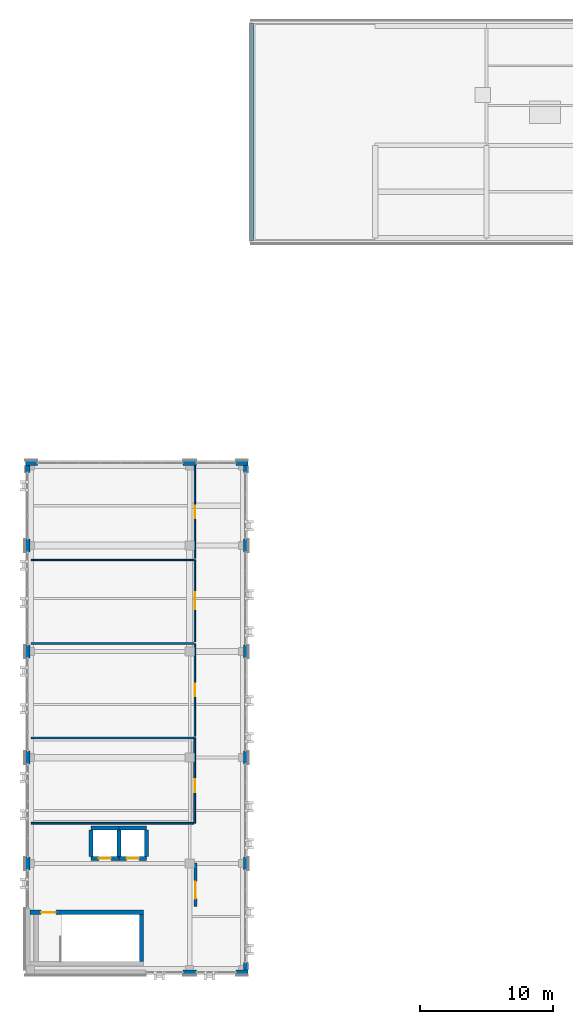
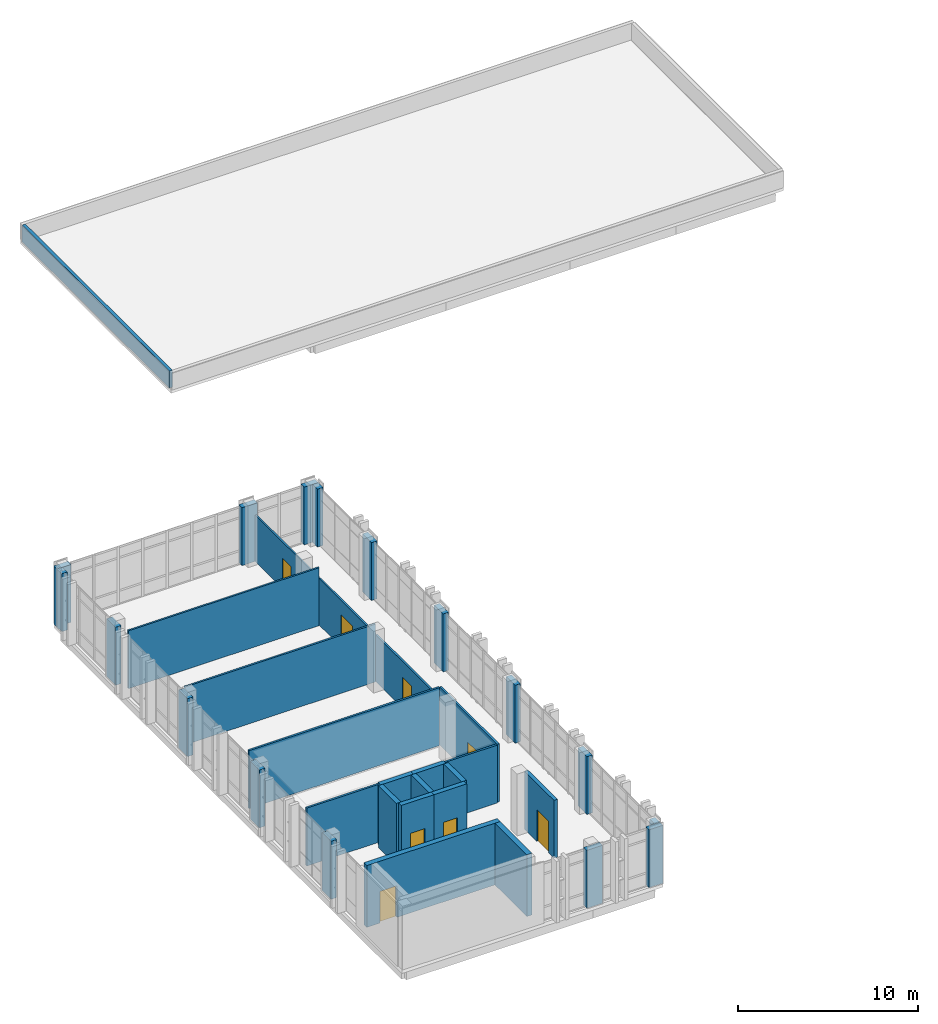
# One storey, part 36 of 48: 35 walls, 8 doors, 8 openings.
"""IFC4 building model written with IfcOpenShell, lengths in metres."""

from ifc_helpers import new_model, si_unit, direction, frame, frame_2d, origin, place, context, subcontext, project, spatial, rectangle, extrude, material, layer, layer_set, type_object, element, fill, save


model = new_model("IFC4")

# Units and contexts
model_context = context("Model", 3, precision=1e-05, world=origin(), true_north=direction((0.0, 1.0)))
body_context = subcontext(model_context, "Body", "Model", "MODEL_VIEW")
ifc_project = project(units=[si_unit("LENGTHUNIT", "METRE"), si_unit("AREAUNIT", "SQUARE_METRE"), si_unit("VOLUMEUNIT", "CUBIC_METRE"), si_unit("PLANEANGLEUNIT", "RADIAN"), si_unit("MASSUNIT", "GRAM", prefix="KILO")], contexts=[model_context])

# Site, building, storey
site_placement = place(None, origin())
site = spatial("IfcSite", under=ifc_project, at=site_placement, CompositionType="ELEMENT")
building_placement = place(site_placement, origin())
building = spatial("IfcBuilding", under=site, at=building_placement, Name="Qalavern Law Courts", CompositionType="ELEMENT")
storey_placement = place(building_placement, frame((0.0, 0.0, 31.199951171875)))
storey = spatial("IfcBuildingStorey", under=building, at=storey_placement, Name="L07", CompositionType="ELEMENT", Elevation=31.199951171875)

# Walls
ifc_material_1 = material(Name="Concrete C40/50", Category="concrete")
ifc_layer_1 = layer(ifc_material_1, 0.35498046875)
ifc_layer_set_1 = layer_set([ifc_layer_1], Name="Concrete C40/50")
wall_type_1 = type_object("IfcWallType", Name="ENV-EW-355", PredefinedType="SOLIDWALL", material=ifc_layer_set_1)
wall_1_placement = place(storey_placement, frame((13.89990234375, 41.197509765625, 0.0), z_axis=(0.0, 0.0, 1.0), x_axis=(1.0, 0.0, 0.0)))
element("IfcWall", 1, at=wall_1_placement, inside=storey, type_object=wall_type_1, Name="V3 exterior pier wall L07 south 2", PredefinedType="SOLIDWALL", context=body_context, shape_type="SweptSolid", body=[
    extrude(rectangle(XDim=1.0, YDim=0.35498046875, at=frame_2d((0.5, 0.0))), origin(), (0.0, 0.0, 1.0), 3.93994140625),
])
wall_2_placement = place(storey_placement, frame((17.89990234375, 41.197509765625, 0.0), z_axis=(0.0, 0.0, 1.0), x_axis=(1.0, 0.0, 0.0)))
element("IfcWall", 2, at=wall_2_placement, inside=storey, type_object=wall_type_1, Name="V3 exterior pier wall L07 south 3", PredefinedType="SOLIDWALL", context=body_context, shape_type="SweptSolid", body=[
    extrude(rectangle(XDim=0.900146484375, YDim=0.35498046875, at=frame_2d((0.4501953125, 0.0))), origin(), (0.0, 0.0, 1.0), 3.93994140625),
])
wall_3_placement = place(storey_placement, frame((18.62255859375, 41.3701171875, 0.0), z_axis=(0.0, 0.0, 1.0), x_axis=(0.0, 1.0, 0.0)))
element("IfcWall", 3, at=wall_3_placement, inside=storey, type_object=wall_type_1, Name="V3 exterior pier wall L07 east 1", PredefinedType="SOLIDWALL", context=body_context, shape_type="SweptSolid", body=[
    extrude(rectangle(XDim=0.5498046875, YDim=0.35498046875, at=frame_2d((0.27490234375, 0.0))), origin(), (0.0, 0.0, 1.0), 3.93994140625),
])
for number, where, z_axis, x_axis, name in (
    (4, (18.62255859375, 48.89990234375, 0.0), (0.0, 0.0, 1.0), (0.0, 1.0, 0.0), "V3 exterior pier wall L07 east 2"),
    (5, (18.62255859375, 56.89990234375, 0.0), (0.0, 0.0, 1.0), (0.0, 1.0, 0.0), "V3 exterior pier wall L07 east 3"),
    (6, (18.62255859375, 64.89990234375, 0.0), (0.0, 0.0, 1.0), (0.0, 1.0, 0.0), "V3 exterior pier wall L07 east 4"),
    (7, (18.62255859375, 72.89990234375, 0.0), (0.0, 0.0, 1.0), (0.0, 1.0, 0.0), "V3 exterior pier wall L07 east 5"),
):
    element("IfcWall", number, at=place(storey_placement, frame(where, z_axis=z_axis, x_axis=x_axis)), inside=storey, type_object=wall_type_1, Name=name, PredefinedType="SOLIDWALL", context=body_context, shape_type="SweptSolid", body=[
        extrude(rectangle(XDim=1.0, YDim=0.35498046875, at=frame_2d((0.5, 0.0))), origin(), (0.0, 0.0, 1.0), 3.93994140625),
    ])
wall_4_placement = place(storey_placement, frame((18.62255859375, 78.89990234375, 0.0), z_axis=(0.0, 0.0, 1.0), x_axis=(0.0, 1.0, 0.0)))
element("IfcWall", 8, at=wall_4_placement, inside=storey, type_object=wall_type_1, Name="V3 exterior pier wall L07 east 6", PredefinedType="SOLIDWALL", context=body_context, shape_type="SweptSolid", body=[
    extrude(rectangle(XDim=0.550048828125, YDim=0.35498046875, at=frame_2d((0.27490234375, 0.0))), origin(), (0.0, 0.0, 1.0), 3.93994140625),
])
wall_5_placement = place(storey_placement, frame((18.800048828125, 79.62255859375, 0.0), z_axis=(0.0, 0.0, 1.0), x_axis=(-1.0, 0.0, 0.0)))
element("IfcWall", 9, at=wall_5_placement, inside=storey, type_object=wall_type_1, Name="V3 exterior pier wall L07 north 1", PredefinedType="SOLIDWALL", context=body_context, shape_type="SweptSolid", body=[
    extrude(rectangle(XDim=0.900146484375, YDim=0.35498046875, at=frame_2d((0.4501953125, 0.0))), origin(), (0.0, 0.0, 1.0), 3.93994140625),
])
wall_6_placement = place(storey_placement, frame((14.89990234375, 79.62255859375, 0.0), z_axis=(0.0, 0.0, 1.0), x_axis=(-1.0, 0.0, 0.0)))
element("IfcWall", 10, at=wall_6_placement, inside=storey, type_object=wall_type_1, Name="V3 exterior pier wall L07 north 2", PredefinedType="SOLIDWALL", context=body_context, shape_type="SweptSolid", body=[
    extrude(rectangle(XDim=1.0, YDim=0.35498046875, at=frame_2d((0.5, 0.0))), origin(), (0.0, 0.0, 1.0), 3.93994140625),
])
wall_7_placement = place(storey_placement, frame((2.89990234375, 79.62255859375, 0.0), z_axis=(0.0, 0.0, 1.0), x_axis=(-1.0, 0.0, 0.0)))
element("IfcWall", 11, at=wall_7_placement, inside=storey, type_object=wall_type_1, Name="V3 exterior pier wall L07 north 3", PredefinedType="SOLIDWALL", context=body_context, shape_type="SweptSolid", body=[
    extrude(rectangle(XDim=0.89990234375, YDim=0.35498046875, at=frame_2d((0.449951171875, 0.0))), origin(), (0.0, 0.0, 1.0), 3.93994140625),
])
wall_8_placement = place(storey_placement, frame((2.177490234375, 79.449951171875, 0.0), z_axis=(0.0, 0.0, 1.0), x_axis=(0.0, -1.0, 0.0)))
element("IfcWall", 12, at=wall_8_placement, inside=storey, type_object=wall_type_1, Name="V3 exterior pier wall L07 west 1", PredefinedType="SOLIDWALL", context=body_context, shape_type="SweptSolid", body=[
    extrude(rectangle(XDim=0.550048828125, YDim=0.35498046875, at=frame_2d((0.27490234375, 0.0))), origin(), (0.0, 0.0, 1.0), 3.93994140625),
])
for number, where, z_axis, x_axis, name in (
    (13, (2.177490234375, 73.89990234375, 0.0), (0.0, 0.0, 1.0), (0.0, -1.0, 0.0), "V3 exterior pier wall L07 west 2"),
    (14, (2.177490234375, 65.89990234375, 0.0), (0.0, 0.0, 1.0), (0.0, -1.0, 0.0), "V3 exterior pier wall L07 west 3"),
    (15, (2.177490234375, 57.89990234375, 0.0), (0.0, 0.0, 1.0), (0.0, -1.0, 0.0), "V3 exterior pier wall L07 west 4"),
    (16, (2.177490234375, 49.89990234375, 0.0), (0.0, 0.0, 1.0), (0.0, -1.0, 0.0), "V3 exterior pier wall L07 west 5"),
):
    element("IfcWall", number, at=place(storey_placement, frame(where, z_axis=z_axis, x_axis=x_axis)), inside=storey, type_object=wall_type_1, Name=name, PredefinedType="SOLIDWALL", context=body_context, shape_type="SweptSolid", body=[
        extrude(rectangle(XDim=1.0, YDim=0.35498046875, at=frame_2d((0.5, 0.0))), origin(), (0.0, 0.0, 1.0), 3.93994140625),
    ])
ifc_layer_2 = layer(ifc_material_1, 0.205078125)
ifc_layer_set_2 = layer_set([ifc_layer_2], Name="Concrete C40/50")
wall_type_2 = type_object("IfcWallType", Name="ENV-PAR-205", PredefinedType="PARAPET", material=ifc_layer_set_2)
wall_9_placement = place(storey_placement, frame((19.12255859375, 112.794921875, 0.0), z_axis=(0.0, 0.0, 1.0), x_axis=(0.0, -1.0, 0.0)))
element("IfcWall", 17, at=wall_9_placement, inside=storey, type_object=wall_type_2, Name="V5 roof parapet L07 W", PredefinedType="PARAPET", context=body_context, shape_type="SweptSolid", body=[
    extrude(rectangle(XDim=16.389892578125, YDim=0.205078125, at=frame_2d((8.19482421875, 0.0))), origin(), (0.0, 0.0, 1.0), 1.150146484375),
])
ifc_material_2 = material(Name="Concrete C45/55", Category="concrete")
ifc_layer_3 = layer(ifc_material_2, 0.3349609375)
ifc_layer_set_3 = layer_set([ifc_layer_3], Name="Concrete C45/55")
wall_type_3 = type_object("IfcWallType", Name="INT-CW-335", PredefinedType="SHEAR", material=ifc_layer_set_3)
wall_10_placement = place(storey_placement, frame((10.767578125, 42.0, 0.0), z_axis=(0.0, 0.0, 1.0), x_axis=(0.0, 1.0, 0.0)))
element("IfcWall", 18, at=wall_10_placement, inside=storey, type_object=wall_type_3, Name="Core K2 stair shear wall L07 east", PredefinedType="SHEAR", context=body_context, shape_type="SweptSolid", body=[
    extrude(rectangle(XDim=3.550048828125, YDim=0.3349609375, at=frame_2d((1.77490234375, 0.0))), origin(), (0.0, 0.0, 1.0), 4.199951171875),
])

# Wall, opening, door
wall_11_placement = place(storey_placement, frame((10.93505859375, 45.717529296875, 0.0), z_axis=(0.0, 0.0, 1.0), x_axis=(-1.0, 0.0, 0.0)))
wall_11 = element("IfcWall", 19, at=wall_11_placement, inside=storey, type_object=wall_type_3, Name="Core K2 stair shear wall L07 north", PredefinedType="SHEAR", context=body_context, shape_type="SweptSolid", body=[
    extrude(rectangle(XDim=8.5771484375, YDim=0.3349609375, at=frame_2d((4.28857421875, 0.0))), origin(), (0.0, 0.0, 1.0), 4.199951171875),
])
opening_1_placement = place(wall_11_placement, frame((6.635009765625, 0.0, 0.0)))
opening_1 = element("IfcOpeningElement", 20, at=opening_1_placement, cuts=wall_11, Name="Opening L07-D067", PredefinedType="OPENING", context=body_context, shape_type="SweptSolid", body=[
    extrude(rectangle(XDim=1.10009765625, YDim=2.14990234375, at=frame_2d((0.550048828125, 1.074951171875))), frame((0.0, 0.182373046875, 0.0), z_axis=(0.0, -1.0, 0.0), x_axis=(1.0, 0.0, 0.0)), (0.0, 0.0, 1.0), 0.36474609375),
])
ifc_material_3 = material(Name="Steel fire-rated stair enclosure door", Category="steel")
door_type_1 = type_object("IfcDoorType", Name="INT-FD-1100x2150", OperationType="NOTDEFINED", PredefinedType="DOOR", material=ifc_material_3)
door_1_placement = place(opening_1_placement, frame((1.10009765625, 0.0, 0.0), z_axis=(0.0, 0.0, 1.0), x_axis=(-1.0, 0.0, 0.0)))
door_1 = element("IfcDoor", 21, at=door_1_placement, inside=storey, type_object=door_type_1, Name="Stair K2 fire door L07", OperationType="SINGLE_SWING_RIGHT", OverallHeight=2.14990234375, OverallWidth=1.10009765625, PredefinedType="DOOR", context=body_context, shape_type="SweptSolid", body=[
    extrude(rectangle(XDim=1.10009765625, YDim=2.14990234375, at=frame_2d((0.550048828125, 1.074951171875))), frame((0.0, 0.02490234375, 0.0), z_axis=(0.0, -1.0, 0.0), x_axis=(1.0, 0.0, 0.0)), (0.0, 0.0, 1.0), 0.050048828125),
])
fill(opening_1, door_1)

ifc_layer_4 = layer(ifc_material_1, 0.22509765625)
ifc_layer_set_4 = layer_set([ifc_layer_4], Name="Concrete C40/50")
wall_type_4 = type_object("IfcWallType", Name="INT-FW-225", PredefinedType="PARTITIONING", material=ifc_layer_set_4)
wall_12_placement = place(storey_placement, frame((14.85009765625, 46.14990234375, 0.0), z_axis=(0.0, 0.0, 1.0), x_axis=(0.0, 1.0, 0.0)))
wall_12 = element("IfcWall", 22, at=wall_12_placement, inside=storey, type_object=wall_type_4, Name="Core K2 firefighting/stair lobby fire wall L07", PredefinedType="PARTITIONING", context=body_context, shape_type="SweptSolid", body=[
    extrude(rectangle(XDim=3.300048828125, YDim=0.22509765625, at=frame_2d((1.64990234375, 0.0))), origin(), (0.0, 0.0, 1.0), 3.93994140625),
])
opening_2_placement = place(wall_12_placement, frame((0.60009765625, 0.0, 0.0)))
opening_2 = element("IfcOpeningElement", 23, at=opening_2_placement, cuts=wall_12, Name="Opening L07-D068", PredefinedType="OPENING", context=body_context, shape_type="SweptSolid", body=[
    extrude(rectangle(XDim=1.300048828125, YDim=2.14990234375, at=frame_2d((0.64990234375, 1.074951171875))), frame((0.0, 0.12744140625, 0.0), z_axis=(0.0, -1.0, 0.0), x_axis=(1.0, 0.0, 0.0)), (0.0, 0.0, 1.0), 0.2548828125),
])
ifc_material_4 = material(Name="Steel fire-rated frame and acoustic timber leaves", Category="steel")
door_type_2 = type_object("IfcDoorType", Name="INT-FD-1300x2150", OperationType="DOUBLE_DOOR_SINGLE_SWING", PredefinedType="DOOR", material=ifc_material_4)
door_2_placement = place(opening_2_placement, origin())
door_2 = element("IfcDoor", 24, at=door_2_placement, inside=storey, type_object=door_type_2, Name="Core K2 lobby fire door L07", OperationType="DOUBLE_DOOR_SINGLE_SWING", OverallHeight=2.14990234375, OverallWidth=1.300048828125, PredefinedType="DOOR", context=body_context, shape_type="SweptSolid", body=[
    extrude(rectangle(XDim=1.300048828125, YDim=2.14990234375, at=frame_2d((0.64990234375, 1.074951171875))), frame((0.0, 0.02490234375, 0.0), z_axis=(0.0, -1.0, 0.0), x_axis=(1.0, 0.0, 0.0)), (0.0, 0.0, 1.0), 0.050048828125),
])
fill(opening_2, door_2)

ifc_material_5 = material(Name="Gypsum sanitary partition")
ifc_layer_5 = layer(ifc_material_5, 0.10205078125)
ifc_layer_set_5 = layer_set([ifc_layer_5], Name="Gypsum sanitary partition")
wall_type_5 = type_object("IfcWallType", Name="INT-PW-102", PredefinedType="PARTITIONING", material=ifc_layer_set_5)
wall_13_placement = place(storey_placement, frame((14.7900390625, 72.429931640625, 0.0), z_axis=(0.0, 0.0, 1.0), x_axis=(0.0, 1.0, 0.0)))
wall_13 = element("IfcWall", 25, at=wall_13_placement, inside=storey, type_object=wall_type_5, Name="Staff WC corridor partition L07", PredefinedType="PARTITIONING", context=body_context, shape_type="SweptSolid", body=[
    extrude(rectangle(XDim=6.989990234375, YDim=0.10205078125, at=frame_2d((3.4951171875, 0.0))), origin(), (0.0, 0.0, 1.0), 3.170166015625),
])
opening_3_placement = place(wall_13_placement, frame((3.02490234375, 0.0, 0.0)))
opening_3 = element("IfcOpeningElement", 26, at=opening_3_placement, cuts=wall_13, Name="Opening L07-D245", PredefinedType="OPENING", context=body_context, shape_type="SweptSolid", body=[
    extrude(rectangle(XDim=0.93994140625, YDim=2.070068359375, at=frame_2d((0.469970703125, 1.03515625))), frame((0.0, 0.06591796875, 0.0), z_axis=(0.0, -1.0, 0.0), x_axis=(1.0, 0.0, 0.0)), (0.0, 0.0, 1.0), 0.1318359375),
])
ifc_material_6 = material(Name="Accessible WC outward-clear door")
door_type_3 = type_object("IfcDoorType", Name="INT-ID-940x2070", OperationType="NOTDEFINED", PredefinedType="DOOR", material=ifc_material_6)
door_3_placement = place(opening_3_placement, frame((0.93994140625, 0.0, 0.0), z_axis=(0.0, 0.0, 1.0), x_axis=(-1.0, 0.0, 0.0)))
door_3 = element("IfcDoor", 27, at=door_3_placement, inside=storey, type_object=door_type_3, Name="Staff WC door L07", OperationType="SINGLE_SWING_RIGHT", OverallHeight=2.070068359375, OverallWidth=0.93994140625, PredefinedType="DOOR", context=body_context, shape_type="SweptSolid", body=[
    extrude(rectangle(XDim=0.93994140625, YDim=2.070068359375, at=frame_2d((0.469970703125, 1.03515625))), frame((0.0, 0.02490234375, 0.0), z_axis=(0.0, -1.0, 0.0), x_axis=(1.0, 0.0, 0.0)), (0.0, 0.0, 1.0), 0.050048828125),
])
fill(opening_3, door_3)

ifc_material_7 = material(Name="Gypsum stud partition")
ifc_layer_6 = layer(ifc_material_7, 0.112060546875)
ifc_layer_set_6 = layer_set([ifc_layer_6], Name="Gypsum stud partition")
wall_type_6 = type_object("IfcWallType", Name="INT-PW-112", PredefinedType="PARTITIONING", material=ifc_layer_set_6)
wall_14_placement = place(storey_placement, frame((14.7900390625, 66.1279296875, 0.0), z_axis=(0.0, 0.0, 1.0), x_axis=(0.0, 1.0, 0.0)))
wall_14 = element("IfcWall", 28, at=wall_14_placement, inside=storey, type_object=wall_type_6, Name="Jury Deliberation Suite corridor partition L07", PredefinedType="PARTITIONING", context=body_context, shape_type="SweptSolid", body=[
    extrude(rectangle(XDim=6.18212890625, YDim=0.112060546875, at=frame_2d((3.091064453125, 0.0))), origin(), (0.0, 0.0, 1.0), 3.170166015625),
])
opening_4_placement = place(wall_14_placement, frame((2.450927734375, 0.0, 0.0)))
opening_4 = element("IfcOpeningElement", 29, at=opening_4_placement, cuts=wall_14, Name="Opening L07-D244", PredefinedType="OPENING", context=body_context, shape_type="SweptSolid", body=[
    extrude(rectangle(XDim=1.280029296875, YDim=2.179931640625, at=frame_2d((0.64013671875, 1.08984375))), frame((0.0, 0.07080078125, 0.0), z_axis=(0.0, -1.0, 0.0), x_axis=(1.0, 0.0, 0.0)), (0.0, 0.0, 1.0), 0.141845703125),
])
ifc_material_8 = material(Name="Wide oak Judicial Conference door")
door_type_4 = type_object("IfcDoorType", Name="INT-ID-1280x2180", OperationType="NOTDEFINED", PredefinedType="DOOR", material=ifc_material_8)
door_4_placement = place(opening_4_placement, frame((1.280029296875, 0.0, 0.0), z_axis=(0.0, 0.0, 1.0), x_axis=(-1.0, 0.0, 0.0)))
door_4 = element("IfcDoor", 30, at=door_4_placement, inside=storey, type_object=door_type_4, Name="Jury Deliberation Suite door L07", OperationType="SINGLE_SWING_LEFT", OverallHeight=2.179931640625, OverallWidth=1.280029296875, PredefinedType="DOOR", context=body_context, shape_type="SweptSolid", body=[
    extrude(rectangle(XDim=1.280029296875, YDim=2.179931640625, at=frame_2d((0.64013671875, 1.08984375))), frame((0.0, 0.02490234375, 0.0), z_axis=(0.0, -1.0, 0.0), x_axis=(1.0, 0.0, 0.0)), (0.0, 0.0, 1.0), 0.050048828125),
])
fill(opening_4, door_4)

# Wall
wall_15_placement = place(storey_placement, frame((2.43994140625, 72.31005859375, 0.0), z_axis=(0.0, 0.0, 1.0), x_axis=(1.0, 0.0, 0.0)))
element("IfcWall", 31, at=wall_15_placement, inside=storey, type_object=wall_type_6, Name="Jury Deliberation Suite cross partition L07 north", PredefinedType="PARTITIONING", context=body_context, shape_type="SweptSolid", body=[
    extrude(rectangle(XDim=12.274169921875, YDim=0.112060546875, at=frame_2d((6.13720703125, 0.0))), origin(), (0.0, 0.0, 1.0), 3.93994140625),
])

# Wall, opening, door
ifc_layer_7 = layer(ifc_material_7, 0.1220703125)
ifc_layer_set_7 = layer_set([ifc_layer_7], Name="Gypsum stud partition")
wall_type_7 = type_object("IfcWallType", Name="INT-PW-122", PredefinedType="PARTITIONING", material=ifc_layer_set_7)
wall_16_placement = place(storey_placement, frame((14.7900390625, 59.0, 0.0), z_axis=(0.0, 0.0, 1.0), x_axis=(0.0, 1.0, 0.0)))
wall_16 = element("IfcWall", 32, at=wall_16_placement, inside=storey, type_object=wall_type_7, Name="Judicial Research Suite corridor partition L07", PredefinedType="PARTITIONING", context=body_context, shape_type="SweptSolid", body=[
    extrude(rectangle(XDim=7.008056640625, YDim=0.1220703125, at=frame_2d((3.50390625, 0.0))), origin(), (0.0, 0.0, 1.0), 3.170166015625),
])
opening_5_placement = place(wall_16_placement, frame((3.02392578125, 0.0, 0.0)))
opening_5 = element("IfcOpeningElement", 33, at=opening_5_placement, cuts=wall_16, Name="Opening L07-D243", PredefinedType="OPENING", context=body_context, shape_type="SweptSolid", body=[
    extrude(rectangle(XDim=0.9599609375, YDim=2.080078125, at=frame_2d((0.47998046875, 1.0400390625))), frame((0.0, 0.075927734375, 0.0), z_axis=(0.0, -1.0, 0.0), x_axis=(1.0, 0.0, 0.0)), (0.0, 0.0, 1.0), 0.15185546875),
])
ifc_material_9 = material(Name="Timber Counsel Consultation door", Category="wood")
door_type_5 = type_object("IfcDoorType", Name="INT-ID-960x2080", OperationType="NOTDEFINED", PredefinedType="DOOR", material=ifc_material_9)
door_5_placement = place(opening_5_placement, frame((0.9599609375, 0.0, 0.0), z_axis=(0.0, 0.0, 1.0), x_axis=(-1.0, 0.0, 0.0)))
door_5 = element("IfcDoor", 34, at=door_5_placement, inside=storey, type_object=door_type_5, Name="Judicial Research Suite door L07", OperationType="SINGLE_SWING_RIGHT", OverallHeight=2.080078125, OverallWidth=0.9599609375, PredefinedType="DOOR", context=body_context, shape_type="SweptSolid", body=[
    extrude(rectangle(XDim=0.9599609375, YDim=2.080078125, at=frame_2d((0.47998046875, 1.0400390625))), frame((0.0, 0.02490234375, 0.0), z_axis=(0.0, -1.0, 0.0), x_axis=(1.0, 0.0, 0.0)), (0.0, 0.0, 1.0), 0.050048828125),
])
fill(opening_5, door_5)

# Wall
wall_17_placement = place(storey_placement, frame((2.43994140625, 66.008056640625, 0.0), z_axis=(0.0, 0.0, 1.0), x_axis=(1.0, 0.0, 0.0)))
element("IfcWall", 35, at=wall_17_placement, inside=storey, type_object=wall_type_7, Name="Judicial Research Suite cross partition L07 north", PredefinedType="PARTITIONING", context=body_context, shape_type="SweptSolid", body=[
    extrude(rectangle(XDim=12.26904296875, YDim=0.1220703125, at=frame_2d((6.134521484375, 0.0))), origin(), (0.0, 0.0, 1.0), 3.93994140625),
])

# Wall, opening, door
ifc_layer_8 = layer(ifc_material_7, 0.132080078125)
ifc_layer_set_8 = layer_set([ifc_layer_8], Name="Gypsum stud partition")
wall_type_8 = type_object("IfcWallType", Name="INT-PW-132", PredefinedType="PARTITIONING", material=ifc_layer_set_8)
wall_18_placement = place(storey_placement, frame((14.7900390625, 52.43994140625, 0.0), z_axis=(0.0, 0.0, 1.0), x_axis=(0.0, 1.0, 0.0)))
wall_18 = element("IfcWall", 36, at=wall_18_placement, inside=storey, type_object=wall_type_8, Name="Senior Trial Judges' Chambers corridor partition L07", PredefinedType="PARTITIONING", context=body_context, shape_type="SweptSolid", body=[
    extrude(rectangle(XDim=6.43994140625, YDim=0.132080078125, at=frame_2d((3.219970703125, 0.0))), origin(), (0.0, 0.0, 1.0), 3.93994140625),
])
opening_6_placement = place(wall_18_placement, frame((2.330078125, 0.0, 0.0)))
opening_6 = element("IfcOpeningElement", 37, at=opening_6_placement, cuts=wall_18, Name="Opening L07-D242", PredefinedType="OPENING", context=body_context, shape_type="SweptSolid", body=[
    extrude(rectangle(XDim=0.97998046875, YDim=2.090087890625, at=frame_2d((0.489990234375, 1.044921875))), frame((0.0, 0.0810546875, 0.0), z_axis=(0.0, -1.0, 0.0), x_axis=(1.0, 0.0, 0.0)), (0.0, 0.0, 1.0), 0.161865234375),
])
ifc_material_10 = material(Name="Timber Legal Research Office door", Category="wood")
door_type_6 = type_object("IfcDoorType", Name="INT-ID-980x2090", OperationType="NOTDEFINED", PredefinedType="DOOR", material=ifc_material_10)
door_6_placement = place(opening_6_placement, frame((0.97998046875, 0.0, 0.0), z_axis=(0.0, 0.0, 1.0), x_axis=(-1.0, 0.0, 0.0)))
door_6 = element("IfcDoor", 38, at=door_6_placement, inside=storey, type_object=door_type_6, Name="Senior Trial Judges' Chambers door L07", OperationType="SINGLE_SWING_LEFT", OverallHeight=2.090087890625, OverallWidth=0.97998046875, PredefinedType="DOOR", context=body_context, shape_type="SweptSolid", body=[
    extrude(rectangle(XDim=0.97998046875, YDim=2.090087890625, at=frame_2d((0.489990234375, 1.044921875))), frame((0.0, 0.02490234375, 0.0), z_axis=(0.0, -1.0, 0.0), x_axis=(1.0, 0.0, 0.0)), (0.0, 0.0, 1.0), 0.050048828125),
])
fill(opening_6, door_6)

# Walls
for number, where, z_axis, x_axis, name in (
    (39, (2.43994140625, 52.43994140625, 0.0), (0.0, 0.0, 1.0), (1.0, 0.0, 0.0), "Senior Trial Judges' Chambers cross partition L07 south"),
    (40, (2.43994140625, 58.8798828125, 0.0), (0.0, 0.0, 1.0), (1.0, 0.0, 0.0), "Senior Trial Judges' Chambers cross partition L07 north"),
):
    element("IfcWall", number, at=place(storey_placement, frame(where, z_axis=z_axis, x_axis=x_axis)), inside=storey, type_object=wall_type_8, Name=name, PredefinedType="PARTITIONING", context=body_context, shape_type="SweptSolid", body=[
        extrude(rectangle(XDim=12.26416015625, YDim=0.132080078125, at=frame_2d((6.132080078125, 0.0))), origin(), (0.0, 0.0, 1.0), 3.93994140625),
    ])

# Wall, opening, door
ifc_layer_9 = layer(ifc_material_2, 0.304931640625)
ifc_layer_set_9 = layer_set([ifc_layer_9], Name="Concrete C45/55")
wall_type_9 = type_object("IfcWallType", Name="INT-SW-305", PredefinedType="SHEAR", material=ifc_layer_set_9)
wall_19_placement = place(storey_placement, frame((6.947509765625, 49.797607421875, 0.0), z_axis=(0.0, 0.0, 1.0), x_axis=(1.0, 0.0, 0.0)))
wall_19 = element("IfcWall", 41, at=wall_19_placement, inside=storey, type_object=wall_type_9, Name="Lift LF-C1 shaft wall L07 south", PredefinedType="SHEAR", context=body_context, shape_type="SweptSolid", body=[
    extrude(rectangle(XDim=2.10498046875, YDim=0.304931640625, at=frame_2d((1.052490234375, 0.0))), origin(), (0.0, 0.0, 1.0), 4.199951171875),
])
opening_7_placement = place(wall_19_placement, frame((0.592529296875, 0.0, 0.0)))
opening_7 = element("IfcOpeningElement", 42, at=opening_7_placement, cuts=wall_19, Name="Opening LD-LF-C1-L07", PredefinedType="OPENING", context=body_context, shape_type="SweptSolid", body=[
    extrude(rectangle(XDim=0.919921875, YDim=2.10009765625, at=frame_2d((0.4599609375, 1.050048828125))), frame((0.0, 0.16748046875, 0.0), z_axis=(0.0, -1.0, 0.0), x_axis=(1.0, 0.0, 0.0)), (0.0, 0.0, 1.0), 0.334716796875),
])
ifc_material_11 = material(Name="Heavy-gauge steel custody lift sliding landing door", Category="steel")
door_type_7 = type_object("IfcDoorType", Name="INT-LD-920x2100", OperationType="SLIDING_TO_LEFT", PredefinedType="DOOR", material=ifc_material_11)
door_7_placement = place(opening_7_placement, origin())
door_7 = element("IfcDoor", 43, at=door_7_placement, inside=storey, type_object=door_type_7, Name="Lift LF-C1 sliding landing door L07", OperationType="SLIDING_TO_LEFT", OverallHeight=2.10009765625, OverallWidth=0.919921875, PredefinedType="DOOR", context=body_context, shape_type="SweptSolid", body=[
    extrude(rectangle(XDim=0.919921875, YDim=2.10009765625, at=frame_2d((0.4599609375, 1.050048828125))), frame((0.0, 0.02490234375, 0.0), z_axis=(0.0, -1.0, 0.0), x_axis=(1.0, 0.0, 0.0)), (0.0, 0.0, 1.0), 0.050048828125),
])
fill(opening_7, door_7)

# Walls
wall_20_placement = place(storey_placement, frame((9.052490234375, 49.949951171875, 0.0), z_axis=(0.0, 0.0, 1.0), x_axis=(0.0, 1.0, 0.0)))
element("IfcWall", 44, at=wall_20_placement, inside=storey, type_object=wall_type_9, Name="Lift LF-C1 shaft wall L07 east", PredefinedType="SHEAR", context=body_context, shape_type="SweptSolid", body=[
    extrude(rectangle(XDim=2.0, YDim=0.304931640625, at=frame_2d((1.0, 0.0))), origin(), (0.0, 0.0, 1.0), 4.199951171875),
])
wall_21_placement = place(storey_placement, frame((9.052490234375, 52.1025390625, 0.0), z_axis=(0.0, 0.0, 1.0), x_axis=(-1.0, 0.0, 0.0)))
element("IfcWall", 45, at=wall_21_placement, inside=storey, type_object=wall_type_9, Name="Lift LF-C1 shaft wall L07 north", PredefinedType="SHEAR", context=body_context, shape_type="SweptSolid", body=[
    extrude(rectangle(XDim=2.10498046875, YDim=0.304931640625, at=frame_2d((1.052490234375, 0.0))), origin(), (0.0, 0.0, 1.0), 4.199951171875),
])
wall_22_placement = place(storey_placement, frame((6.947509765625, 51.949951171875, 0.0), z_axis=(0.0, 0.0, 1.0), x_axis=(0.0, -1.0, 0.0)))
element("IfcWall", 46, at=wall_22_placement, inside=storey, type_object=wall_type_9, Name="Lift LF-C1 shaft wall L07 west", PredefinedType="SHEAR", context=body_context, shape_type="SweptSolid", body=[
    extrude(rectangle(XDim=2.0, YDim=0.304931640625, at=frame_2d((1.0, 0.0))), origin(), (0.0, 0.0, 1.0), 4.199951171875),
])

# Wall, opening, door
wall_23_placement = place(storey_placement, frame((9.047607421875, 49.797607421875, 0.0), z_axis=(0.0, 0.0, 1.0), x_axis=(1.0, 0.0, 0.0)))
wall_23 = element("IfcWall", 47, at=wall_23_placement, inside=storey, type_object=wall_type_9, Name="Lift LF-C2 shaft wall L07 south", PredefinedType="SHEAR", context=body_context, shape_type="SweptSolid", body=[
    extrude(rectangle(XDim=2.10498046875, YDim=0.304931640625, at=frame_2d((1.052490234375, 0.0))), origin(), (0.0, 0.0, 1.0), 4.199951171875),
])
opening_8_placement = place(wall_23_placement, frame((0.592529296875, 0.0, 0.0)))
opening_8 = element("IfcOpeningElement", 48, at=opening_8_placement, cuts=wall_23, Name="Opening LD-LF-C2-L07", PredefinedType="OPENING", context=body_context, shape_type="SweptSolid", body=[
    extrude(rectangle(XDim=0.919921875, YDim=2.10009765625, at=frame_2d((0.4599609375, 1.050048828125))), frame((0.0, 0.16748046875, 0.0), z_axis=(0.0, -1.0, 0.0), x_axis=(1.0, 0.0, 0.0)), (0.0, 0.0, 1.0), 0.334716796875),
])
door_8_placement = place(opening_8_placement, origin())
door_8 = element("IfcDoor", 49, at=door_8_placement, inside=storey, type_object=door_type_7, Name="Lift LF-C2 sliding landing door L07", OperationType="SLIDING_TO_LEFT", OverallHeight=2.10009765625, OverallWidth=0.919921875, PredefinedType="DOOR", context=body_context, shape_type="SweptSolid", body=[
    extrude(rectangle(XDim=0.919921875, YDim=2.10009765625, at=frame_2d((0.4599609375, 1.050048828125))), frame((0.0, 0.02490234375, 0.0), z_axis=(0.0, -1.0, 0.0), x_axis=(1.0, 0.0, 0.0)), (0.0, 0.0, 1.0), 0.050048828125),
])
fill(opening_8, door_8)

# Walls
wall_24_placement = place(storey_placement, frame((11.152587890625, 49.949951171875, 0.0), z_axis=(0.0, 0.0, 1.0), x_axis=(0.0, 1.0, 0.0)))
element("IfcWall", 50, at=wall_24_placement, inside=storey, type_object=wall_type_9, Name="Lift LF-C2 shaft wall L07 east", PredefinedType="SHEAR", context=body_context, shape_type="SweptSolid", body=[
    extrude(rectangle(XDim=2.0, YDim=0.304931640625, at=frame_2d((1.0, 0.0))), origin(), (0.0, 0.0, 1.0), 4.199951171875),
])
wall_25_placement = place(storey_placement, frame((11.152587890625, 52.1025390625, 0.0), z_axis=(0.0, 0.0, 1.0), x_axis=(-1.0, 0.0, 0.0)))
element("IfcWall", 51, at=wall_25_placement, inside=storey, type_object=wall_type_9, Name="Lift LF-C2 shaft wall L07 north", PredefinedType="SHEAR", context=body_context, shape_type="SweptSolid", body=[
    extrude(rectangle(XDim=2.10498046875, YDim=0.304931640625, at=frame_2d((1.052490234375, 0.0))), origin(), (0.0, 0.0, 1.0), 4.199951171875),
])

save(model, "model.ifc")
